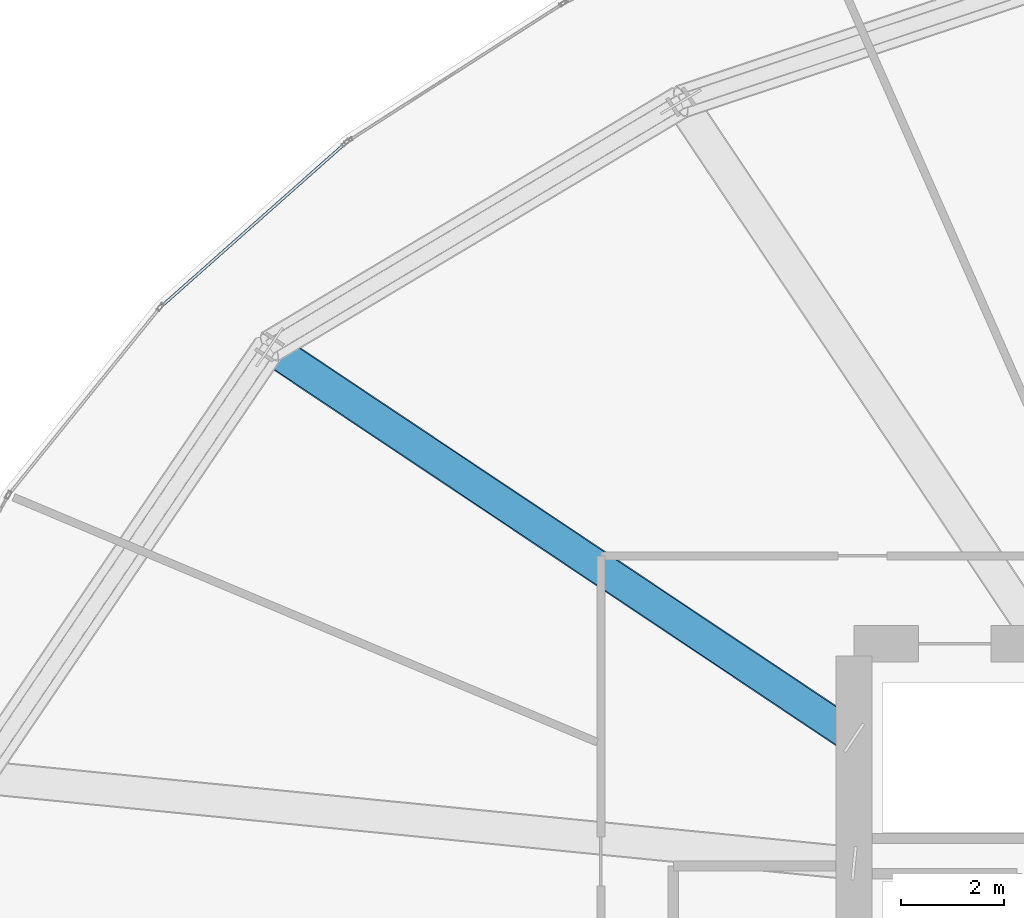
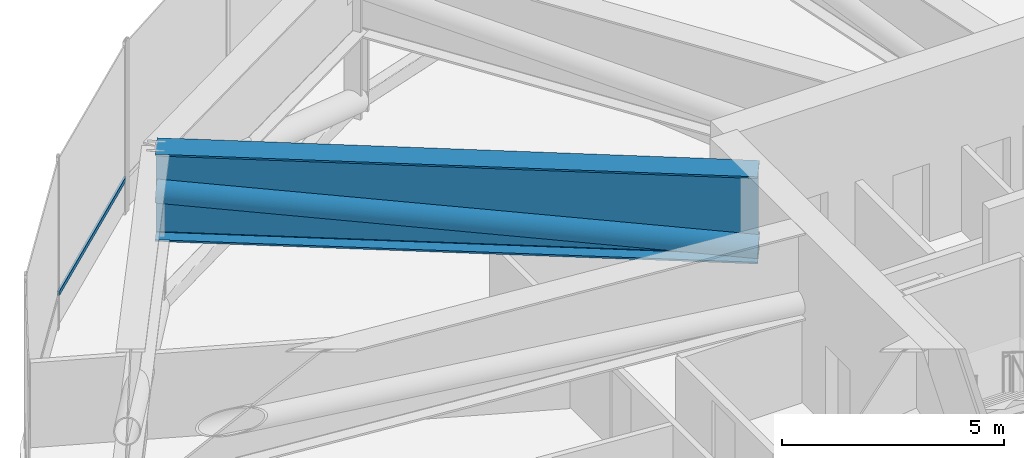
# One storey, part 17 of 33: 2 members, 1 beam, 1 element without a shape of its own.
"""IFC4 building model written with IfcOpenShell, lengths in metres."""

from ifc_helpers import new_model, si_unit, direction, frame, origin, origin_2d, place, context, subcontext, project, spatial, hollow_rectangle, hollow_circle, i_section, extrude, source, transform, mapped, material, layer, layer_set, material_profile, profile_set, type_object, element, aggregate, save


model = new_model("IFC4")

# Units and contexts
model_context = context("Model", 3, precision=1e-05, world=origin(), true_north=direction((0.0, 1.0)))
body_context = subcontext(model_context, "Body", "Model", "MODEL_VIEW")
ifc_project = project(units=[si_unit("LENGTHUNIT", "METRE"), si_unit("AREAUNIT", "SQUARE_METRE"), si_unit("VOLUMEUNIT", "CUBIC_METRE"), si_unit("PLANEANGLEUNIT", "RADIAN"), si_unit("MASSUNIT", "GRAM", prefix="KILO"), si_unit("THERMODYNAMICTEMPERATUREUNIT", "KELVIN")], contexts=[model_context])

# Site, building, storey
site_placement = place(None, origin())
site = spatial("IfcSite", under=ifc_project, at=site_placement, CompositionType="ELEMENT")
building_placement = place(site_placement, origin())
building = spatial("IfcBuilding", under=site, at=building_placement, Name="Kethvar Cultural Tower", CompositionType="ELEMENT")
storey_placement = place(building_placement, frame((0.0, 0.0, 80.39990234375)))
storey = spatial("IfcBuildingStorey", under=building, at=storey_placement, Name="L19", CompositionType="ELEMENT", Elevation=80.39990234375)

# Beam
ifc_material_1 = material(Name="Steel S460M", Category="steel")
ifc_material_profile_1 = material_profile(ifc_material_1, i_section(OverallWidth=0.64990234375, OverallDepth=2.39990234375, WebThickness=0.030029296875, FlangeThickness=0.048095703125, FilletRadius=0.02197265625, at=origin_2d()), Name="Steel S460M — PG2400x650x48x30")
ifc_profile_set_1 = profile_set([ifc_material_profile_1], Name="Steel S460M — PG2400x650x48x30")
beam_type = type_object("IfcBeamType", Name="BM-TR2400", PredefinedType="BEAM", material=ifc_profile_set_1)
shared_shape_1 = source(origin(), body_context, "Body", "SweptSolid", [
    extrude(i_section(OverallWidth=0.64990234375, OverallDepth=2.39990234375, WebThickness=0.030029296875, FlangeThickness=0.048095703125, FilletRadius=0.02197265625, at=origin_2d()), origin(), (0.0, 0.0, 1.0), 13.60888671875),
])
beam_placement = place(storey_placement, frame((38.0, 33.679931640625, 3.55810546875), z_axis=(-0.831467486755, 0.555573414113, 0.0), x_axis=(-0.555573414113, -0.831467486755, 0.0)))
element("IfcBeam", 1, at=beam_placement, inside=storey, type_object=beam_type, Name="L19 Outrigger Transfer Girder OG-07", PredefinedType="BEAM", context=body_context, shape_type="MappedRepresentation", body=[
    mapped(shared_shape_1, transform((0.0, 0.0, 0.0), scale=1.0)),
])

# Member
ifc_material_profile_2 = material_profile(ifc_material_1, hollow_circle(Radius=0.304931640625, WallThickness=0.02490234375, at=origin_2d()), Name="Steel S460M — CHS610x25")
ifc_profile_set_2 = profile_set([ifc_material_profile_2], Name="Steel S460M — CHS610x25")
member_type_1 = type_object("IfcMemberType", Name="MB-OUT-610", PredefinedType="BRACE", material=ifc_profile_set_2)
shared_shape_2 = source(origin(), body_context, "Body", "SweptSolid", [
    extrude(hollow_circle(Radius=0.304931640625, WallThickness=0.02490234375, at=origin_2d()), origin(), (0.0, 0.0, 1.0), 13.63916015625),
])
member_1_placement = place(storey_placement, frame((38.0, 33.679931640625, 2.650146484375), z_axis=(-0.829623111584, 0.554341031817, 0.066569611461), x_axis=(-0.555573414113, -0.831467486755, 0.0)))
element("IfcMember", 2, at=member_1_placement, inside=storey, type_object=member_type_1, Name="L19 Outrigger Truss Diagonal OB-07", PredefinedType="BRACE", context=body_context, shape_type="MappedRepresentation", body=[
    mapped(shared_shape_2, transform((0.0, 0.0, 0.0), scale=1.0)),
])

# Curtain wall, member
ifc_material_2 = material(Name="Aluminium 6063-T6", Category="aluminium")
ifc_layer = layer(ifc_material_2, 0.179931640625, Name="Aluminium 6063-T6", Category="aluminium")
ifc_layer_set = layer_set([ifc_layer], Name="Aluminium 6063-T6 (180 mm)")
curtain_wall_type = type_object("IfcCurtainWallType", Name="CW-SYS-02-Z1", PredefinedType="NOTDEFINED", material=ifc_layer_set)
curtain_wall_placement = place(storey_placement, origin())
curtain_wall = element("IfcCurtainWall", 3, at=curtain_wall_placement, inside=storey, type_object=curtain_wall_type, Name="L19 Curtain Wall Run 03", PredefinedType="NOTDEFINED")
ifc_material_profile_3 = material_profile(ifc_material_2, hollow_rectangle(XDim=0.054931640625, YDim=0.1201171875, WallThickness=0.00390625, at=origin_2d()), Name="Aluminium 6063-T6 — RHS120x55x4")
ifc_profile_set_3 = profile_set([ifc_material_profile_3], Name="Aluminium 6063-T6 — RHS120x55x4")
member_type_2 = type_object("IfcMemberType", Name="CW-SYS-02-Z1-TRN", PredefinedType="USERDEFINED", material=ifc_profile_set_3)
shared_shape_3 = source(origin(), body_context, "Body", "SweptSolid", [
    extrude(hollow_rectangle(XDim=0.054931640625, YDim=0.1201171875, WallThickness=0.00390625, at=origin_2d()), origin(), (0.0, 0.0, 1.0), 4.76220703125),
])
member_2_placement = place(storey_placement, frame((28.157958984375, 45.192626953125, 0.9501953125), z_axis=(-0.748327853246, -0.663329046595, 0.0), x_axis=(0.663329046595, -0.748327853246, 0.0)))
member_2 = element("IfcMember", 4, at=member_2_placement, type_object=member_type_2, Name="CW-L19-R03 Transom 1", ObjectType="TRANSOM", PredefinedType="USERDEFINED", context=body_context, shape_type="MappedRepresentation", body=[
    mapped(shared_shape_3, transform((0.0, 0.0, 0.0), scale=1.0)),
])
aggregate(curtain_wall, [member_2])

save(model, "model.ifc")
